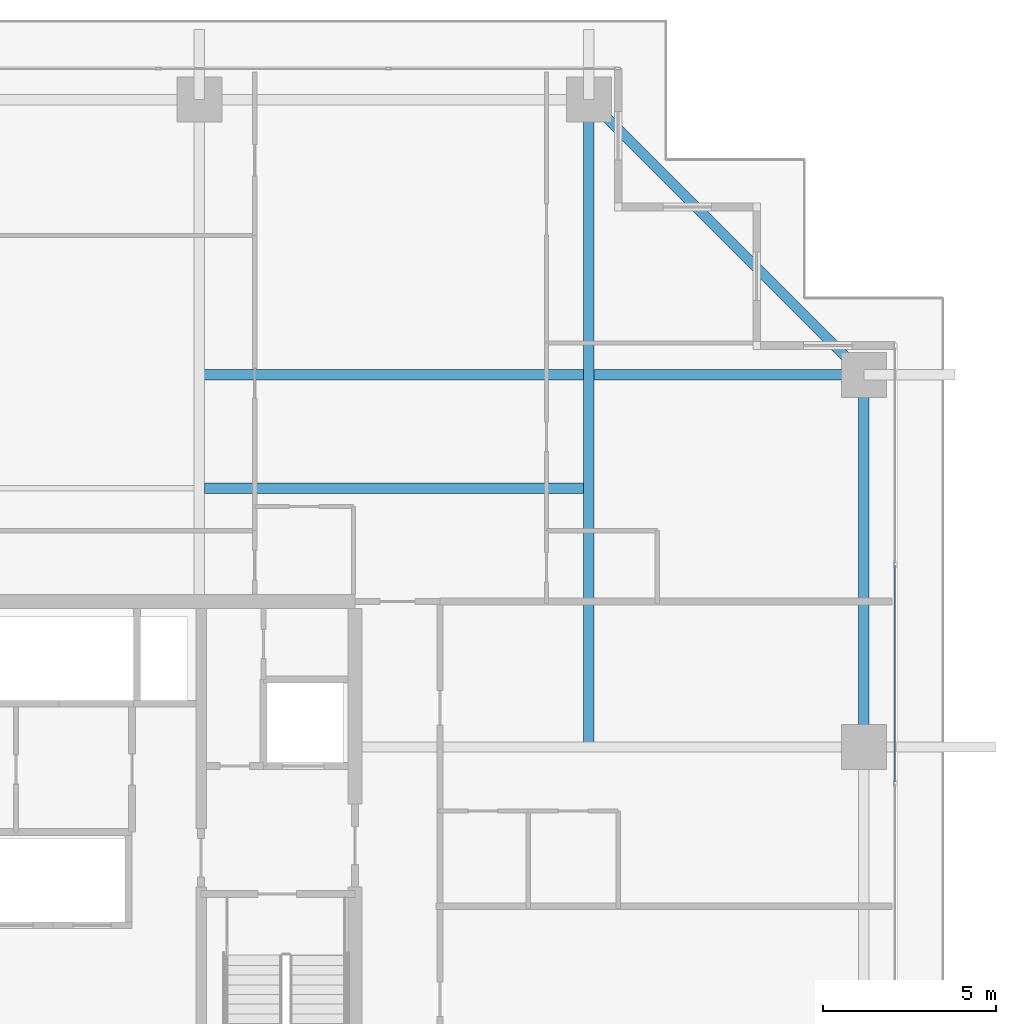
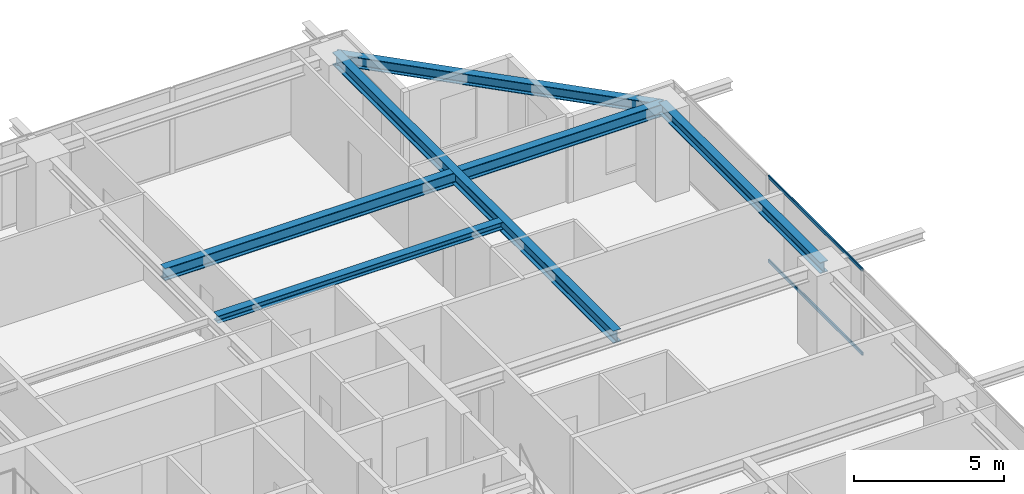
# One storey, part 20 of 34: 5 beams, 2 members, 1 element without a shape of its own.
"""IFC4 building model written with IfcOpenShell, lengths in metres."""

from ifc_helpers import new_model, si_unit, direction, frame, origin, origin_2d, place, context, subcontext, project, spatial, hollow_rectangle, i_section, extrude, source, transform, mapped, material, layer, layer_set, material_profile, profile_set, type_object, element, aggregate, save


model = new_model("IFC4")

# Units and contexts
model_context = context("Model", 3, precision=1e-05, world=origin(), true_north=direction((0.0, 1.0)))
body_context = subcontext(model_context, "Body", "Model", "MODEL_VIEW")
ifc_project = project(units=[si_unit("LENGTHUNIT", "METRE"), si_unit("AREAUNIT", "SQUARE_METRE"), si_unit("VOLUMEUNIT", "CUBIC_METRE"), si_unit("PLANEANGLEUNIT", "RADIAN"), si_unit("MASSUNIT", "GRAM", prefix="KILO")], contexts=[model_context])

# Site, building, storey
site_placement = place(None, origin())
site = spatial("IfcSite", under=ifc_project, at=site_placement, CompositionType="ELEMENT")
building_placement = place(site_placement, origin())
building = spatial("IfcBuilding", under=site, at=building_placement, Name="Serunith Strait Residences", CompositionType="ELEMENT")
storey_placement = place(building_placement, frame((0.0, 0.0, 187.64990234375)))
storey = spatial("IfcBuildingStorey", under=building, at=storey_placement, Name="L47", CompositionType="ELEMENT", Elevation=187.64990234375)

# Beams
ifc_material_1 = material(Name="Steel S355J2", Category="steel")
ifc_material_profile_1 = material_profile(ifc_material_1, i_section(OverallWidth=0.300048828125, OverallDepth=0.5, WebThickness=0.014404296875, FlangeThickness=0.028076171875, FilletRadius=0.027099609375, at=origin_2d()), Name="HEB 500")
ifc_profile_set_1 = profile_set([ifc_material_profile_1], Name="Steel S355J2")
beam_type_1 = type_object("IfcBeamType", Name="BM-HEB500", PredefinedType="BEAM", material=ifc_profile_set_1)
shared_shape_1 = source(origin(), body_context, "Body", "SweptSolid", [
    extrude(i_section(OverallWidth=0.300048828125, OverallDepth=0.5, WebThickness=0.014404296875, FlangeThickness=0.028076171875, FilletRadius=0.027099609375, at=origin_2d()), origin(), (0.0, 0.0, 1.0), 18.7001953125),
])
beam_1_placement = place(storey_placement, frame((48.14990234375, 29.39990234375, 3.237060546875), z_axis=(0.0, 1.0, 0.0), x_axis=(-1.0, 0.0, 0.0)))
element("IfcBeam", 1, at=beam_1_placement, inside=storey, type_object=beam_type_1, Name="L47 Orthogonal Corner Girder TC-N4", PredefinedType="BEAM", context=body_context, shape_type="MappedRepresentation", body=[
    mapped(shared_shape_1, transform((0.0, 0.0, 0.0), scale=1.0)),
])
shared_shape_2 = source(origin(), body_context, "Body", "SweptSolid", [
    extrude(i_section(OverallWidth=0.300048828125, OverallDepth=0.5, WebThickness=0.014404296875, FlangeThickness=0.028076171875, FilletRadius=0.027099609375, at=origin_2d()), origin(), (0.0, 0.0, 1.0), 19.2001953125),
])
beam_2_placement = place(storey_placement, frame((36.89990234375, 40.14990234375, 3.237060546875), z_axis=(1.0, 0.0, 0.0), x_axis=(0.0, 1.0, 0.0)))
element("IfcBeam", 2, at=beam_2_placement, inside=storey, type_object=beam_type_1, Name="L47 Orthogonal Corner Girder TC-E4", PredefinedType="BEAM", context=body_context, shape_type="MappedRepresentation", body=[
    mapped(shared_shape_2, transform((0.0, 0.0, 0.0), scale=1.0)),
])
ifc_material_profile_2 = material_profile(ifc_material_1, i_section(OverallWidth=0.300048828125, OverallDepth=0.449951171875, WebThickness=0.013916015625, FlangeThickness=0.02587890625, FilletRadius=0.027099609375, at=origin_2d()), Name="HEB 450")
ifc_profile_set_2 = profile_set([ifc_material_profile_2], Name="Steel S355J2")
beam_type_2 = type_object("IfcBeamType", Name="BM-HEB450", PredefinedType="BEAM", material=ifc_profile_set_2)
shared_shape_3 = source(origin(), body_context, "Body", "SweptSolid", [
    extrude(i_section(OverallWidth=0.300048828125, OverallDepth=0.449951171875, WebThickness=0.013916015625, FlangeThickness=0.02587890625, FilletRadius=0.027099609375, at=origin_2d()), origin(), (0.0, 0.0, 1.0), 11.2431640625),
])
beam_3_placement = place(storey_placement, frame((56.10009765625, 40.14990234375, 3.232177734375), z_axis=(-0.707106781187, 0.707106781187, 0.0), x_axis=(-0.707106781187, -0.707106781187, 0.0)))
element("IfcBeam", 3, at=beam_3_placement, inside=storey, type_object=beam_type_2, Name="L47 Perimeter Ring Beam 08", PredefinedType="BEAM", context=body_context, shape_type="MappedRepresentation", body=[
    mapped(shared_shape_3, transform((0.0, 0.0, 0.0), scale=1.0)),
])
shared_shape_4 = source(origin(), body_context, "Body", "SweptSolid", [
    extrude(i_section(OverallWidth=0.300048828125, OverallDepth=0.449951171875, WebThickness=0.013916015625, FlangeThickness=0.02587890625, FilletRadius=0.027099609375, at=origin_2d()), origin(), (0.0, 0.0, 1.0), 10.75),
])
beam_4_placement = place(storey_placement, frame((56.10009765625, 29.39990234375, 3.26220703125), z_axis=(0.0, 1.0, 0.0), x_axis=(-1.0, 0.0, 0.0)))
element("IfcBeam", 4, at=beam_4_placement, inside=storey, type_object=beam_type_2, Name="L47 Perimeter Ring Beam 07", PredefinedType="BEAM", context=body_context, shape_type="MappedRepresentation", body=[
    mapped(shared_shape_4, transform((0.0, 0.0, 0.0), scale=1.0)),
])
ifc_material_profile_3 = material_profile(ifc_material_1, i_section(OverallWidth=0.300048828125, OverallDepth=0.300048828125, WebThickness=0.010986328125, FlangeThickness=0.01904296875, FilletRadius=0.027099609375, at=origin_2d()), Name="HEB 300")
ifc_profile_set_3 = profile_set([ifc_material_profile_3], Name="Steel S355J2")
beam_type_3 = type_object("IfcBeamType", Name="BM-HEB300", PredefinedType="JOIST", material=ifc_profile_set_3)
shared_shape_5 = source(origin(), body_context, "Body", "SweptSolid", [
    extrude(i_section(OverallWidth=0.300048828125, OverallDepth=0.300048828125, WebThickness=0.010986328125, FlangeThickness=0.01904296875, FilletRadius=0.027099609375, at=origin_2d()), origin(), (0.0, 0.0, 1.0), 10.949951171875),
])
beam_5_placement = place(storey_placement, frame((37.050048828125, 36.875, 3.337158203125), z_axis=(1.0, 0.0, 0.0), x_axis=(0.0, 1.0, 0.0)))
element("IfcBeam", 5, at=beam_5_placement, inside=storey, type_object=beam_type_3, Name="L47 Composite Floor Joist 06", PredefinedType="JOIST", context=body_context, shape_type="MappedRepresentation", body=[
    mapped(shared_shape_5, transform((0.0, 0.0, 0.0), scale=1.0)),
])

# Curtain wall, members
ifc_material_2 = material(Name="Pale-Champagne Anodised Aluminium", Category="aluminium")
ifc_layer = layer(ifc_material_2, 0.199951171875, Name="Pale-Champagne Anodised Aluminium")
ifc_layer_set = layer_set([ifc_layer], Name="Pale-Champagne Anodised Aluminium")
curtain_wall_type = type_object("IfcCurtainWallType", Name="CW-SYS2", PredefinedType="NOTDEFINED", material=ifc_layer_set)
curtain_wall_placement = place(storey_placement, origin())
curtain_wall = element("IfcCurtainWall", 6, at=curtain_wall_placement, inside=storey, type_object=curtain_wall_type, Name="L47 E Unitised Fritted Curtain Wall", PredefinedType="NOTDEFINED")
ifc_material_profile_4 = material_profile(ifc_material_2, hollow_rectangle(XDim=0.06005859375, YDim=0.139892578125, WallThickness=0.00341796875, InnerFilletRadius=0.00537109375, OuterFilletRadius=0.0087890625, at=origin_2d()), Name="ALU 140x60x3.5")
ifc_profile_set_4 = profile_set([ifc_material_profile_4], Name="Pale-Champagne Anodised Aluminium")
member_type = type_object("IfcMemberType", Name="CW-SYS2-TRAN", PredefinedType="USERDEFINED", material=ifc_profile_set_4)
shared_shape_6 = source(origin(), body_context, "Body", "SweptSolid", [
    extrude(hollow_rectangle(XDim=0.06005859375, YDim=0.139892578125, WallThickness=0.00341796875, InnerFilletRadius=0.00537109375, OuterFilletRadius=0.0087890625, at=origin_2d()), origin(), (0.0, 0.0, 1.0), 6.25),
])
member_1_placement = place(storey_placement, frame((57.0, 28.39501953125, 0.030029296875), z_axis=(0.0, 1.0, 0.0), x_axis=(-1.0, 0.0, 0.0)))
member_1 = element("IfcMember", 7, at=member_1_placement, type_object=member_type, Name="CW-2 transom 4.1", ObjectType="TRANSOM", PredefinedType="USERDEFINED", context=body_context, shape_type="MappedRepresentation", body=[
    mapped(shared_shape_6, transform((0.0, 0.0, 0.0), scale=1.0)),
])
member_2_placement = place(storey_placement, frame((57.0, 28.39501953125, 3.445068359375), z_axis=(0.0, 1.0, 0.0), x_axis=(-1.0, 0.0, 0.0)))
member_2 = element("IfcMember", 8, at=member_2_placement, type_object=member_type, Name="CW-2 transom 4.2", ObjectType="TRANSOM", PredefinedType="USERDEFINED", context=body_context, shape_type="MappedRepresentation", body=[
    mapped(shared_shape_6, transform((0.0, 0.0, 0.0), scale=1.0)),
])
aggregate(curtain_wall, [member_1, member_2])

save(model, "model.ifc")
